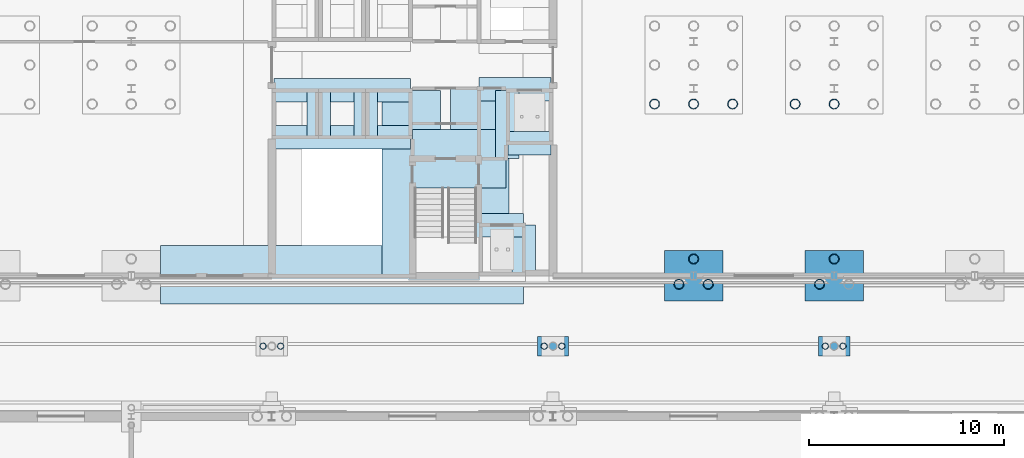
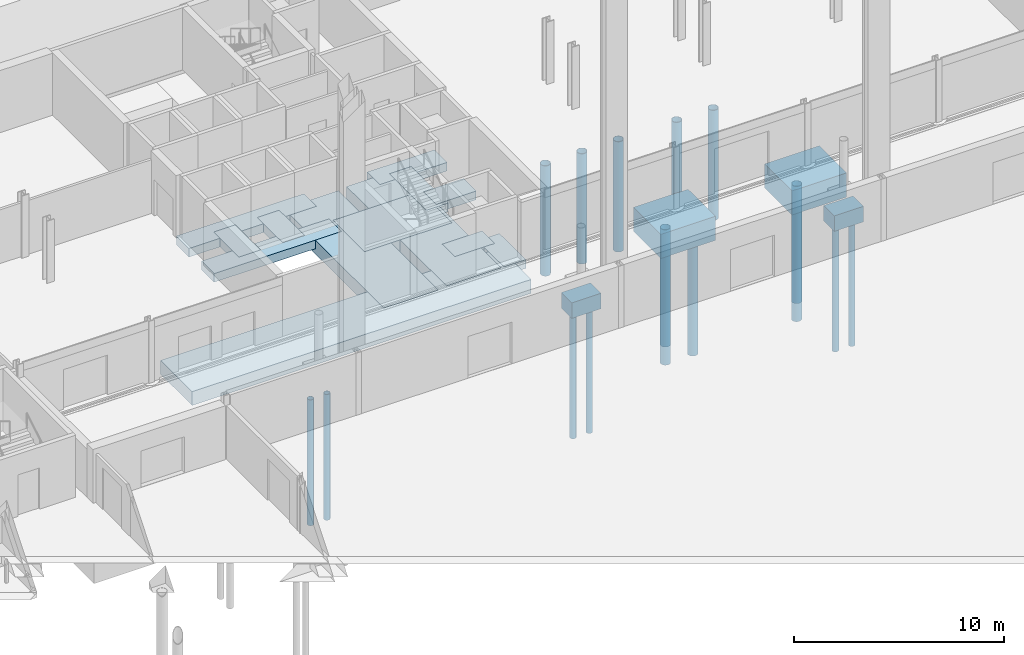
# One storey, part 25 of 148: 17 footings, 16 piles.
"""IFC4 building model written with IfcOpenShell, lengths in metres."""

from ifc_helpers import new_model, si_unit, direction, frame, origin, origin_2d, place, context, subcontext, project, spatial, rectangle, hollow_circle, extrude, material, layer, layer_set, material_profile, profile_set, type_object, element, save


model = new_model("IFC4")

# Units and contexts
model_context = context("Model", 3, precision=1e-05, world=origin(), true_north=direction((0.0, 1.0)))
body_context = subcontext(model_context, "Body", "Model", "MODEL_VIEW")
ifc_project = project(units=[si_unit("LENGTHUNIT", "METRE"), si_unit("AREAUNIT", "SQUARE_METRE"), si_unit("VOLUMEUNIT", "CUBIC_METRE"), si_unit("PLANEANGLEUNIT", "RADIAN"), si_unit("MASSUNIT", "GRAM", prefix="KILO")], contexts=[model_context])

# Site, building, storey
site_placement = place(None, origin())
site = spatial("IfcSite", under=ifc_project, at=site_placement, CompositionType="ELEMENT")
building_placement = place(site_placement, origin())
building = spatial("IfcBuilding", under=site, at=building_placement, Name="Kupolbacken Congress Centre", CompositionType="ELEMENT")
storey_placement = place(building_placement, origin())
storey = spatial("IfcBuildingStorey", under=building, at=storey_placement, Name="L00", CompositionType="ELEMENT", Elevation=0.0)

# Footings
ifc_material_1 = material(Name="Concrete C30/37", Category="concrete")
ifc_layer_1 = layer(ifc_material_1, 1.39990234375)
ifc_layer_set_1 = layer_set([ifc_layer_1], Name="Concrete C30/37")
footing_type_1 = type_object("IfcFootingType", Name="PC5 pile cap 3.00 x 2.60 x 1.40 m", PredefinedType="PILE_CAP", material=ifc_layer_set_1)
for number, where, z_axis, x_axis, name in (
    (1, (115.199951171875, 122.39990234375, -1.699951171875), (0.0, 0.0, 1.0), (1.0, 0.0, 0.0), "S/fnd/C-T-17T/cap"),
    (2, (122.39990234375, 122.39990234375, -1.699951171875), (0.0, 0.0, 1.0), (1.0, 0.0, 0.0), "S/fnd/C-T-18T/cap"),
):
    element("IfcFooting", number, at=place(storey_placement, frame(where, z_axis=z_axis, x_axis=x_axis)), inside=storey, type_object=footing_type_1, Name=name, PredefinedType="PILE_CAP", context=body_context, shape_type="SweptSolid", body=[
        extrude(rectangle(XDim=3.0, YDim=2.60009765625, at=origin_2d()), origin(), (0.0, 0.0, 1.0), 1.39990234375),
    ])
ifc_material_2 = material(Name="Concrete C30/37", Category="concrete")
ifc_layer_2 = layer(ifc_material_2, 0.89990234375)
ifc_layer_set_2 = layer_set([ifc_layer_2], Name="Concrete C30/37")
footing_type_2 = type_object("IfcFootingType", Name="PC7 pile cap 1.60 x 1.00 x 0.90 m", PredefinedType="PILE_CAP", material=ifc_layer_set_2)
for number, where, z_axis, x_axis, name in (
    (3, (108.0, 118.800048828125, -1.199951171875), (0.0, 0.0, 1.0), (1.0, 0.0, 0.0), "MS/M2N/fnd/cap"),
    (4, (122.39990234375, 118.800048828125, -1.199951171875), (0.0, 0.0, 1.0), (1.0, 0.0, 0.0), "MS/M3N/fnd/cap"),
):
    element("IfcFooting", number, at=place(storey_placement, frame(where, z_axis=z_axis, x_axis=x_axis)), inside=storey, type_object=footing_type_2, Name=name, PredefinedType="PILE_CAP", context=body_context, shape_type="SweptSolid", body=[
        extrude(rectangle(XDim=1.60009765625, YDim=1.0, at=origin_2d()), origin(), (0.0, 0.0, 1.0), 0.89990234375),
    ])

# Piles
ifc_material_3 = material(Name="Steel S355", Category="steel")
ifc_material_profile_1 = material_profile(ifc_material_3, hollow_circle(Radius=0.161865234375, WallThickness=0.012451171875, at=origin_2d()), Name="CHS 323.9 x 12.5")
ifc_profile_set_1 = profile_set([ifc_material_profile_1], Name="Steel S355")
pile_type_1 = type_object("IfcPileType", Name="PL1 steel tube pile CHS 323.9 x 12.5", PredefinedType="BORED", material=ifc_profile_set_1)
for number, where, z_axis, x_axis, name in (
    (5, (93.14990234375, 118.800048828125, -1.199951171875), (0.0, 0.0, -1.0), (1.0, 0.0, 0.0), "MS/M1N/fnd/pile1"),
    (6, (94.050048828125, 118.800048828125, -1.199951171875), (0.0, 0.0, -1.0), (1.0, 0.0, 0.0), "MS/M1N/fnd/pile2"),
    (7, (107.550048828125, 118.800048828125, -1.199951171875), (0.0, 0.0, -1.0), (1.0, 0.0, 0.0), "MS/M2N/fnd/pile1"),
    (8, (108.449951171875, 118.800048828125, -1.199951171875), (0.0, 0.0, -1.0), (1.0, 0.0, 0.0), "MS/M2N/fnd/pile2"),
    (9, (121.949951171875, 118.800048828125, -1.199951171875), (0.0, 0.0, -1.0), (1.0, 0.0, 0.0), "MS/M3N/fnd/pile1"),
    (10, (122.85009765625, 118.800048828125, -1.199951171875), (0.0, 0.0, -1.0), (1.0, 0.0, 0.0), "MS/M3N/fnd/pile2"),
):
    element("IfcPile", number, at=place(storey_placement, frame(where, z_axis=z_axis, x_axis=x_axis)), inside=storey, type_object=pile_type_1, Name=name, PredefinedType="BORED", context=body_context, shape_type="SweptSolid", body=[
        extrude(hollow_circle(Radius=0.161865234375, WallThickness=0.012451171875, at=origin_2d()), origin(), (0.0, 0.0, 1.0), 7.300048828125),
    ])
ifc_material_4 = material(Name="Steel S355", Category="steel")
ifc_material_profile_2 = material_profile(ifc_material_4, hollow_circle(Radius=0.25390625, WallThickness=0.02001953125, at=origin_2d()), Name="CHS 508 x 20")
ifc_profile_set_2 = profile_set([ifc_material_profile_2], Name="Steel S355")
pile_type_2 = type_object("IfcPileType", Name="PL3 steel tube pile CHS 508 x 20", PredefinedType="BORED", material=ifc_profile_set_2)
for number, where, z_axis, x_axis, name in (
    (11, (114.449951171875, 121.966552734375, -1.699951171875), (0.0, 0.0, -1.0), (1.0, 0.0, 0.0), "S/fnd/C-T-17T/pile1"),
    (12, (115.949951171875, 121.966552734375, -1.699951171875), (0.0, 0.0, -1.0), (1.0, 0.0, 0.0), "S/fnd/C-T-17T/pile2"),
    (13, (115.199951171875, 123.265380859375, -1.699951171875), (0.0, 0.0, -1.0), (1.0, 0.0, 0.0), "S/fnd/C-T-17T/pile3"),
):
    element("IfcPile", number, at=place(storey_placement, frame(where, z_axis=z_axis, x_axis=x_axis)), inside=storey, type_object=pile_type_2, Name=name, PredefinedType="BORED", context=body_context, shape_type="SweptSolid", body=[
        extrude(hollow_circle(Radius=0.25390625, WallThickness=0.02001953125, at=origin_2d()), origin(), (0.0, 0.0, 1.0), 6.800048828125),
    ])
for number, where, z_axis, x_axis, name in (
    (14, (113.199951171875, 131.199951171875, -2.10009765625), (0.0, 0.0, -1.0), (1.0, 0.0, 0.0), "S/fnd/T-pair/115.2/pile1"),
    (15, (115.199951171875, 131.199951171875, -2.10009765625), (0.0, 0.0, -1.0), (1.0, 0.0, 0.0), "S/fnd/T-pair/115.2/pile4"),
    (16, (117.199951171875, 131.199951171875, -2.10009765625), (0.0, 0.0, -1.0), (1.0, 0.0, 0.0), "S/fnd/T-pair/115.2/pile7"),
):
    element("IfcPile", number, at=place(storey_placement, frame(where, z_axis=z_axis, x_axis=x_axis)), inside=storey, type_object=pile_type_2, Name=name, PredefinedType="BORED", context=body_context, shape_type="SweptSolid", body=[
        extrude(hollow_circle(Radius=0.25390625, WallThickness=0.02001953125, at=origin_2d()), origin(), (0.0, 0.0, 1.0), 6.39990234375),
    ])
for number, where, z_axis, x_axis, name in (
    (17, (121.64990234375, 121.966552734375, -1.699951171875), (0.0, 0.0, -1.0), (1.0, 0.0, 0.0), "S/fnd/C-T-18T/pile1"),
    (18, (122.39990234375, 123.265380859375, -1.699951171875), (0.0, 0.0, -1.0), (1.0, 0.0, 0.0), "S/fnd/C-T-18T/pile3"),
):
    element("IfcPile", number, at=place(storey_placement, frame(where, z_axis=z_axis, x_axis=x_axis)), inside=storey, type_object=pile_type_2, Name=name, PredefinedType="BORED", context=body_context, shape_type="SweptSolid", body=[
        extrude(hollow_circle(Radius=0.25390625, WallThickness=0.02001953125, at=origin_2d()), origin(), (0.0, 0.0, 1.0), 6.800048828125),
    ])
for number, where, z_axis, x_axis, name in (
    (19, (120.39990234375, 131.199951171875, -2.10009765625), (0.0, 0.0, -1.0), (1.0, 0.0, 0.0), "S/fnd/T-pair/122.4/pile1"),
    (20, (122.39990234375, 131.199951171875, -2.10009765625), (0.0, 0.0, -1.0), (1.0, 0.0, 0.0), "S/fnd/T-pair/122.4/pile4"),
):
    element("IfcPile", number, at=place(storey_placement, frame(where, z_axis=z_axis, x_axis=x_axis)), inside=storey, type_object=pile_type_2, Name=name, PredefinedType="BORED", context=body_context, shape_type="SweptSolid", body=[
        extrude(hollow_circle(Radius=0.25390625, WallThickness=0.02001953125, at=origin_2d()), origin(), (0.0, 0.0, 1.0), 6.39990234375),
    ])

# Footings
ifc_material_5 = material(Name="Concrete C30/37", Category="concrete")
ifc_layer_3 = layer(ifc_material_5, 0.5)
ifc_layer_set_3 = layer_set([ifc_layer_3], Name="Concrete C30/37")
footing_type_3 = type_object("IfcFootingType", Name="SF1 strip footing 1.20 x 0.50 m", PredefinedType="STRIP_FOOTING", material=ifc_layer_set_3)
footing_1_placement = place(storey_placement, frame((105.64990234375, 130.14990234375, -0.800048828125), z_axis=(0.0, 0.0, 1.0), x_axis=(0.0, 1.0, 0.0)))
element("IfcFooting", 21, at=footing_1_placement, inside=storey, type_object=footing_type_3, Name="S/fnd/core/094", PredefinedType="STRIP_FOOTING", context=body_context, shape_type="SweptSolid", body=[
    extrude(rectangle(XDim=3.5, YDim=1.199951171875, at=origin_2d()), origin(), (0.0, 0.0, 1.0), 0.5),
])
footing_2_placement = place(storey_placement, frame((106.050048828125, 131.949951171875, -0.800048828125), z_axis=(0.0, 0.0, 1.0), x_axis=(1.0, 0.0, 0.0)))
element("IfcFooting", 22, at=footing_2_placement, inside=storey, type_object=footing_type_3, Name="S/fnd/core/110", PredefinedType="STRIP_FOOTING", context=body_context, shape_type="SweptSolid", body=[
    extrude(rectangle(XDim=3.699951171875, YDim=1.199951171875, at=origin_2d()), origin(), (0.0, 0.0, 1.0), 0.5),
])
footing_3_placement = place(storey_placement, frame((97.199951171875, 129.5, -0.800048828125), z_axis=(0.0, 0.0, 1.0), x_axis=(1.0, 0.0, 0.0)))
element("IfcFooting", 23, at=footing_3_placement, inside=storey, type_object=footing_type_3, Name="S/fnd/lift/049", PredefinedType="STRIP_FOOTING", context=body_context, shape_type="SweptSolid", body=[
    extrude(rectangle(XDim=7.0, YDim=1.199951171875, at=origin_2d()), origin(), (0.0, 0.0, 1.0), 0.5),
])
footing_4_placement = place(storey_placement, frame((96.0, 130.699951171875, -0.800048828125), z_axis=(0.0, 0.0, 1.0), x_axis=(0.0, 1.0, 0.0)))
element("IfcFooting", 24, at=footing_4_placement, inside=storey, type_object=footing_type_3, Name="S/fnd/lift/050", PredefinedType="STRIP_FOOTING", context=body_context, shape_type="SweptSolid", body=[
    extrude(rectangle(XDim=2.39990234375, YDim=1.199951171875, at=origin_2d()), origin(), (0.0, 0.0, 1.0), 0.5),
])
footing_5_placement = place(storey_placement, frame((97.199951171875, 131.89990234375, -0.800048828125), z_axis=(0.0, 0.0, 1.0), x_axis=(1.0, 0.0, 0.0)))
element("IfcFooting", 25, at=footing_5_placement, inside=storey, type_object=footing_type_3, Name="S/fnd/lift/051", PredefinedType="STRIP_FOOTING", context=body_context, shape_type="SweptSolid", body=[
    extrude(rectangle(XDim=7.0, YDim=1.199951171875, at=origin_2d()), origin(), (0.0, 0.0, 1.0), 0.5),
])
footing_6_placement = place(storey_placement, frame((98.39990234375, 130.699951171875, -0.800048828125), z_axis=(0.0, 0.0, 1.0), x_axis=(0.0, 1.0, 0.0)))
element("IfcFooting", 26, at=footing_6_placement, inside=storey, type_object=footing_type_3, Name="S/fnd/lift/054", PredefinedType="STRIP_FOOTING", context=body_context, shape_type="SweptSolid", body=[
    extrude(rectangle(XDim=2.39990234375, YDim=1.199951171875, at=origin_2d()), origin(), (0.0, 0.0, 1.0), 0.5),
])
footing_7_placement = place(storey_placement, frame((106.5, 123.75, -0.800048828125), z_axis=(0.0, 0.0, 1.0), x_axis=(0.0, 1.0, 0.0)))
element("IfcFooting", 27, at=footing_7_placement, inside=storey, type_object=footing_type_3, Name="S/fnd/lift/074", PredefinedType="STRIP_FOOTING", context=body_context, shape_type="SweptSolid", body=[
    extrude(rectangle(XDim=2.5, YDim=1.199951171875, at=origin_2d()), origin(), (0.0, 0.0, 1.0), 0.5),
])
for number, where, z_axis, x_axis, name in (
    (28, (105.39990234375, 125.0, -0.800048828125), (0.0, 0.0, 1.0), (1.0, 0.0, 0.0), "S/fnd/lift/075"),
    (29, (106.800048828125, 129.199951171875, -0.800048828125), (0.0, 0.0, 1.0), (1.0, 0.0, 0.0), "S/fnd/lift/081"),
):
    element("IfcFooting", number, at=place(storey_placement, frame(where, z_axis=z_axis, x_axis=x_axis)), inside=storey, type_object=footing_type_3, Name=name, PredefinedType="STRIP_FOOTING", context=body_context, shape_type="SweptSolid", body=[
        extrude(rectangle(XDim=2.199951171875, YDim=1.199951171875, at=origin_2d()), origin(), (0.0, 0.0, 1.0), 0.5),
    ])
ifc_material_6 = material(Name="Concrete C30/37", Category="concrete")
ifc_layer_4 = layer(ifc_material_6, 0.800048828125)
ifc_layer_set_4 = layer_set([ifc_layer_4], Name="Concrete C30/37")
footing_type_4 = type_object("IfcFootingType", Name="SF4 strip footing 3.00 x 0.80 m", PredefinedType="STRIP_FOOTING", material=ifc_layer_set_4)
footing_8_placement = place(storey_placement, frame((97.199951171875, 122.449951171875, -1.10009765625), z_axis=(0.0, 0.0, 1.0), x_axis=(1.0, 0.0, 0.0)))
element("IfcFooting", 30, at=footing_8_placement, inside=storey, type_object=footing_type_4, Name="S/fnd/core/078", PredefinedType="STRIP_FOOTING", context=body_context, shape_type="SweptSolid", body=[
    extrude(rectangle(XDim=18.60009765625, YDim=3.0, at=origin_2d()), origin(), (0.0, 0.0, 1.0), 0.800048828125),
])
for number, where, z_axis, x_axis, name in (
    (31, (104.25, 127.25, -1.10009765625), (0.0, 0.0, 1.0), (0.0, 1.0, 0.0), "S/fnd/core/081"),
    (32, (100.75, 127.14990234375, -1.10009765625), (0.0, 0.0, 1.0), (0.0, 1.0, 0.0), "S/fnd/core/090"),
):
    element("IfcFooting", number, at=place(storey_placement, frame(where, z_axis=z_axis, x_axis=x_axis)), inside=storey, type_object=footing_type_4, Name=name, PredefinedType="STRIP_FOOTING", context=body_context, shape_type="SweptSolid", body=[
        extrude(rectangle(XDim=9.5, YDim=3.0, at=origin_2d()), origin(), (0.0, 0.0, 1.0), 0.800048828125),
    ])
footing_9_placement = place(storey_placement, frame((103.199951171875, 128.39990234375, -1.10009765625), z_axis=(0.0, 0.0, 1.0), x_axis=(1.0, 0.0, 0.0)))
element("IfcFooting", 33, at=footing_9_placement, inside=storey, type_object=footing_type_4, Name="S/fnd/core/092", PredefinedType="STRIP_FOOTING", context=body_context, shape_type="SweptSolid", body=[
    extrude(rectangle(XDim=4.800048828125, YDim=3.0, at=origin_2d()), origin(), (0.0, 0.0, 1.0), 0.800048828125),
])

save(model, "model.ifc")
